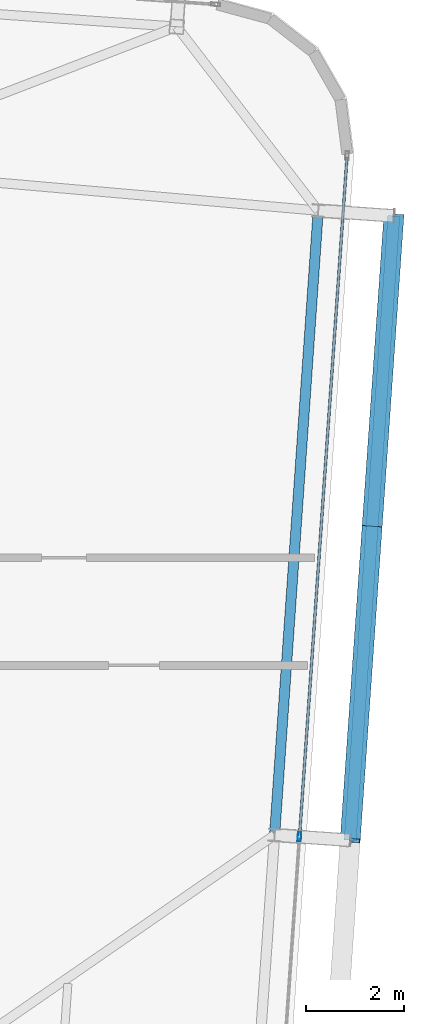
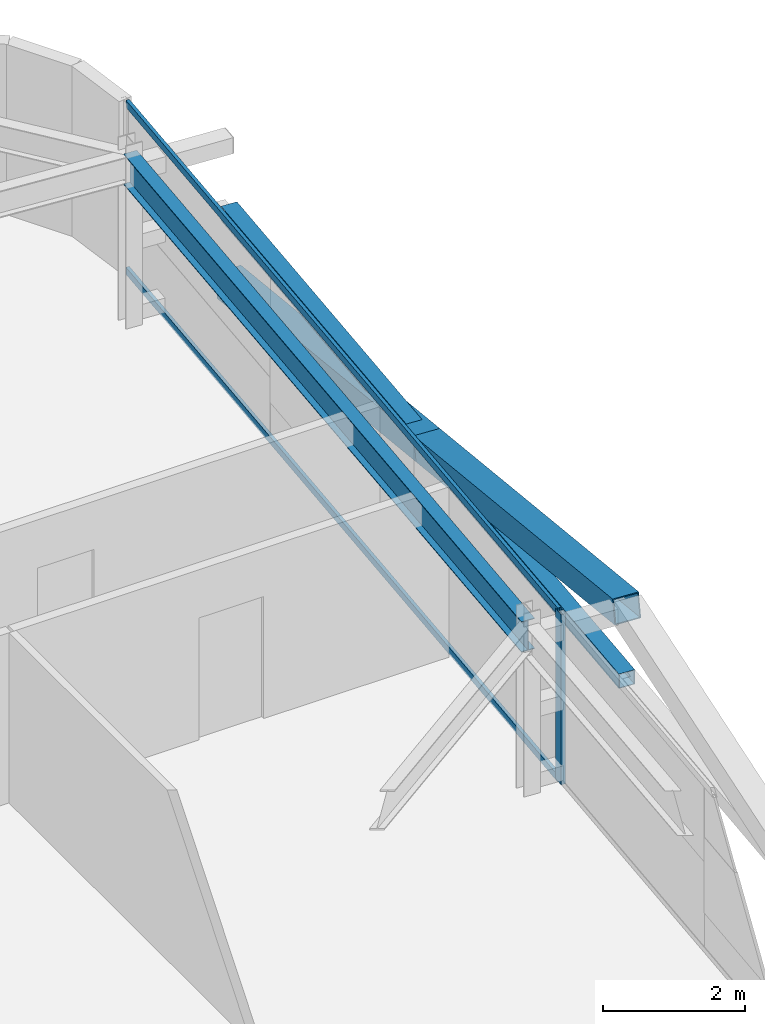
# One storey, part 17 of 39: 6 members, 1 beam, 1 element without a shape of its own.
"""IFC4 building model written with IfcOpenShell, lengths in metres."""

from ifc_helpers import new_model, si_unit, direction, frame, origin, origin_2d, place, context, subcontext, project, spatial, hollow_rectangle, i_section, extrude, source, transform, mapped, material, layer, layer_set, material_profile, profile_set, type_object, element, aggregate, save


model = new_model("IFC4")

# Units and contexts
model_context = context("Model", 3, precision=1e-05, world=origin(), true_north=direction((0.0, 1.0)))
body_context = subcontext(model_context, "Body", "Model", "MODEL_VIEW")
ifc_project = project(units=[si_unit("LENGTHUNIT", "METRE"), si_unit("AREAUNIT", "SQUARE_METRE"), si_unit("VOLUMEUNIT", "CUBIC_METRE"), si_unit("PLANEANGLEUNIT", "RADIAN"), si_unit("MASSUNIT", "GRAM", prefix="KILO")], contexts=[model_context])

# Site, building, storey
site_placement = place(None, origin())
site = spatial("IfcSite", under=ifc_project, at=site_placement, CompositionType="ELEMENT")
building_placement = place(site_placement, origin())
building = spatial("IfcBuilding", under=site, at=building_placement, Name="Taldren Reach Tower", CompositionType="ELEMENT")
storey_placement = place(building_placement, frame((0.0, 0.0, 126.699951171875)))
storey = spatial("IfcBuildingStorey", under=building, at=storey_placement, Name="L38", CompositionType="ELEMENT", Elevation=126.699951171875)

# Beam
ifc_material_1 = material(Name="Steel Gr 350 (350PLUS)", Category="steel")
ifc_material_profile_1 = material_profile(ifc_material_1, i_section(OverallWidth=0.208984375, OverallDepth=0.528076171875, WebThickness=0.009521484375, FlangeThickness=0.01318359375, at=origin_2d()), Name="530UB82.0")
ifc_profile_set_1 = profile_set([ifc_material_profile_1], Name="Steel Gr 350 (350PLUS)")
beam_type = type_object("IfcBeamType", Name="SP-UB530B", PredefinedType="SPANDREL", material=ifc_profile_set_1)
shared_shape_1 = source(origin(), body_context, "Body", "SweptSolid", [
    extrude(i_section(OverallWidth=0.208984375, OverallDepth=0.528076171875, WebThickness=0.009521484375, FlangeThickness=0.01318359375, at=origin_2d()), origin(), (0.0, 0.0, 1.0), 12.800048828125),
])
beam_placement = place(storey_placement, frame((60.438232421875, 18.331787109375, 2.666015625), z_axis=(0.069751876777, 0.9975643717, 0.0), x_axis=(-0.9975643717, 0.069751876777, 0.0)))
element("IfcBeam", 1, at=beam_placement, inside=storey, type_object=beam_type, Name="Perimeter spandrel B3 E2-E3 L38", PredefinedType="SPANDREL", context=body_context, shape_type="MappedRepresentation", body=[
    mapped(shared_shape_1, transform((0.0, 0.0, 0.0), scale=1.0)),
])

# Members
ifc_material_2 = material(Name="Steel Gr 350 (C350L0)", Category="steel")
ifc_material_profile_2 = material_profile(ifc_material_2, hollow_rectangle(XDim=0.25, YDim=0.25, WallThickness=0.010009765625, at=origin_2d()), Name="250x250x10.0SHS")
ifc_profile_set_2 = profile_set([ifc_material_profile_2], Name="Steel Gr 350 (C350L0)")
member_type_1 = type_object("IfcMemberType", Name="MB-POST250", PredefinedType="POST", material=ifc_profile_set_2)
shared_shape_2 = source(origin(), body_context, "Body", "SweptSolid", [
    extrude(hollow_rectangle(XDim=0.25, YDim=0.25, WallThickness=0.010009765625, at=origin_2d()), origin(), (0.0, 0.0, 1.0), 12.800048828125),
])
member_1_placement = place(storey_placement, frame((61.984375, 18.2236328125, 1.43505859375), z_axis=(0.069770857464, 0.997563044348, 0.0), x_axis=(-0.997563044348, 0.069770857464, 0.0)))
element("IfcMember", 2, at=member_1_placement, inside=storey, type_object=member_type_1, Name="Exoskeleton mid-height ring chord B3-E2 L38", PredefinedType="POST", context=body_context, shape_type="MappedRepresentation", body=[
    mapped(shared_shape_2, transform((0.0, 0.0, 0.0), scale=1.0)),
])
ifc_material_3 = material(Name="Steel Gr 450 (C450L0)", Category="steel")
ifc_material_profile_3 = material_profile(ifc_material_3, hollow_rectangle(XDim=0.409912109375, YDim=0.409912109375, WallThickness=0.01611328125, at=origin_2d()), Name="410x410x16.0SHS")
ifc_profile_set_3 = profile_set([ifc_material_profile_3], Name="Steel Gr 450 (C450L0)")
member_type_2 = type_object("IfcMemberType", Name="MB-EXO406", PredefinedType="BRACE", material=ifc_profile_set_3)
shared_shape_3 = source(origin(), body_context, "Body", "SweptSolid", [
    extrude(hollow_rectangle(XDim=0.409912109375, YDim=0.409912109375, WallThickness=0.01611328125, at=origin_2d()), origin(), (0.0, 0.0, 1.0), 6.514404296875),
])
member_2_placement = place(storey_placement, frame((62.87744140625, 30.992431640625, 0.219970703125), z_axis=(-0.068545126831, -0.980056649402, 0.186522195865), x_axis=(0.997563137195, -0.069769529958, 0.0)))
element("IfcMember", 3, at=member_2_placement, inside=storey, type_object=member_type_2, Name="Exoskeleton Diagrid Brace B3-E2 L38", PredefinedType="BRACE", context=body_context, shape_type="MappedRepresentation", body=[
    mapped(shared_shape_3, transform((0.0, 0.0, 0.0), scale=1.0)),
])
shared_shape_4 = source(origin(), body_context, "Body", "SweptSolid", [
    extrude(hollow_rectangle(XDim=0.409912109375, YDim=0.409912109375, WallThickness=0.01611328125, at=origin_2d()), origin(), (0.0, 0.0, 1.0), 6.51416015625),
])
member_3_placement = place(storey_placement, frame((62.430908203125, 24.60791015625, 1.43505859375), z_axis=(-0.068547644544, -0.980055169399, 0.186529046964), x_axis=(0.997562951496, -0.069772185021, 0.0)))
element("IfcMember", 4, at=member_3_placement, inside=storey, type_object=member_type_2, Name="Exoskeleton Diagrid Brace B3-E2 L38", PredefinedType="BRACE", context=body_context, shape_type="MappedRepresentation", body=[
    mapped(shared_shape_4, transform((0.0, 0.0, 0.0), scale=1.0)),
])

# Curtain wall, members
ifc_material_4 = material(Name="Aluminium and Low-E Glass Unitised System", Category="aluminium")
ifc_layer = layer(ifc_material_4, 0.159912109375)
ifc_layer_set = layer_set([ifc_layer], Name="Aluminium and Low-E Glass Unitised System")
curtain_wall_type = type_object("IfcCurtainWallType", Name="CW-SYS-4", PredefinedType="NOTDEFINED", material=ifc_layer_set)
curtain_wall_placement = place(storey_placement, origin())
curtain_wall = element("IfcCurtainWall", 5, at=curtain_wall_placement, inside=storey, type_object=curtain_wall_type, Name="Unitised curtain wall CW-L38-E", PredefinedType="NOTDEFINED")
ifc_material_5 = material(Name="Anodised Aluminium 6063-T6", Category="aluminium")
ifc_material_profile_4 = material_profile(ifc_material_5, hollow_rectangle(XDim=0.054931640625, YDim=0.1201171875, WallThickness=0.0029296875, at=origin_2d()), Name="ALU-120x55x3RHS")
ifc_profile_set_4 = profile_set([ifc_material_profile_4], Name="Anodised Aluminium 6063-T6")
member_type_3 = type_object("IfcMemberType", Name="CW-TRN-135", PredefinedType="USERDEFINED", material=ifc_profile_set_4)
shared_shape_5 = source(origin(), body_context, "Body", "SweptSolid", [
    extrude(hollow_rectangle(XDim=0.054931640625, YDim=0.1201171875, WallThickness=0.0029296875, at=origin_2d()), origin(), (0.0, 0.0, 1.0), 13.89501953125),
])
member_4_placement = place(storey_placement, frame((60.949462890625, 18.3310546875, 0.027587890625), z_axis=(0.069754817075, 0.997564166104, 0.0), x_axis=(-0.997564166104, 0.069754817075, 0.0)))
member_4 = element("IfcMember", 6, at=member_4_placement, type_object=member_type_3, Name="CW-4 transom 2.1", ObjectType="TRANSOM", PredefinedType="USERDEFINED", context=body_context, shape_type="MappedRepresentation", body=[
    mapped(shared_shape_5, transform((0.0, 0.0, 0.0), scale=1.0)),
])
member_5_placement = place(storey_placement, frame((60.949462890625, 18.3310546875, 2.902587890625), z_axis=(0.069754817075, 0.997564166104, 0.0), x_axis=(-0.997564166104, 0.069754817075, 0.0)))
member_5 = element("IfcMember", 7, at=member_5_placement, type_object=member_type_3, Name="CW-4 transom 2.2", ObjectType="TRANSOM", PredefinedType="USERDEFINED", context=body_context, shape_type="MappedRepresentation", body=[
    mapped(shared_shape_5, transform((0.0, 0.0, 0.0), scale=1.0)),
])
ifc_material_profile_5 = material_profile(ifc_material_5, hollow_rectangle(XDim=0.070068359375, YDim=0.179931640625, WallThickness=0.00390625, at=origin_2d()), Name="ALU-180x70x4RHS")
ifc_profile_set_5 = profile_set([ifc_material_profile_5], Name="Anodised Aluminium 6063-T6")
member_type_4 = type_object("IfcMemberType", Name="CW-MUL-180", PredefinedType="MULLION", material=ifc_profile_set_5)
shared_shape_6 = source(origin(), body_context, "Body", "SweptSolid", [
    extrude(hollow_rectangle(XDim=0.070068359375, YDim=0.179931640625, WallThickness=0.00390625, at=origin_2d()), origin(), (0.0, 0.0, 1.0), 2.929931640625),
])
member_6_placement = place(storey_placement, frame((60.947021484375, 18.296142578125, 0.0), z_axis=(0.0, 0.0, 1.0), x_axis=(-0.997564052812, 0.069756437251, 0.0)))
member_6 = element("IfcMember", 8, at=member_6_placement, type_object=member_type_4, Name="CW-4 mullion 2", PredefinedType="MULLION", context=body_context, shape_type="MappedRepresentation", body=[
    mapped(shared_shape_6, transform((0.0, 0.0, 0.0), scale=1.0)),
])
aggregate(curtain_wall, [member_6, member_4, member_5])

save(model, "model.ifc")
